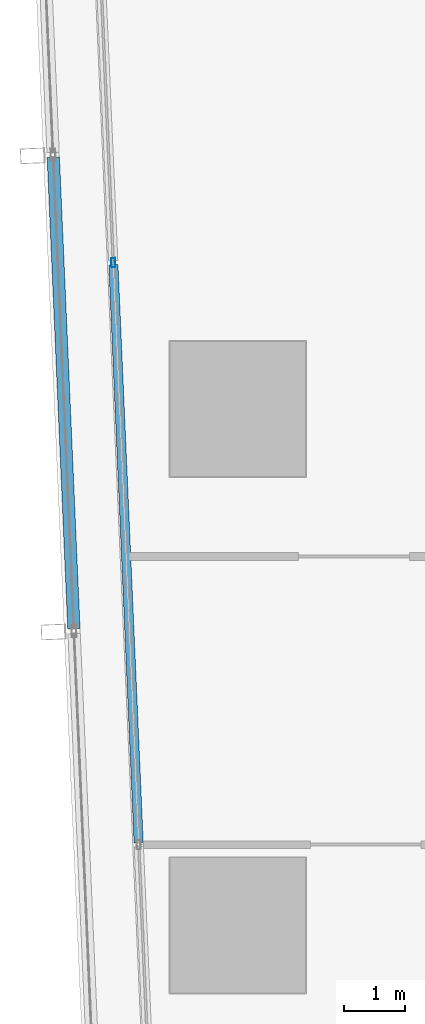
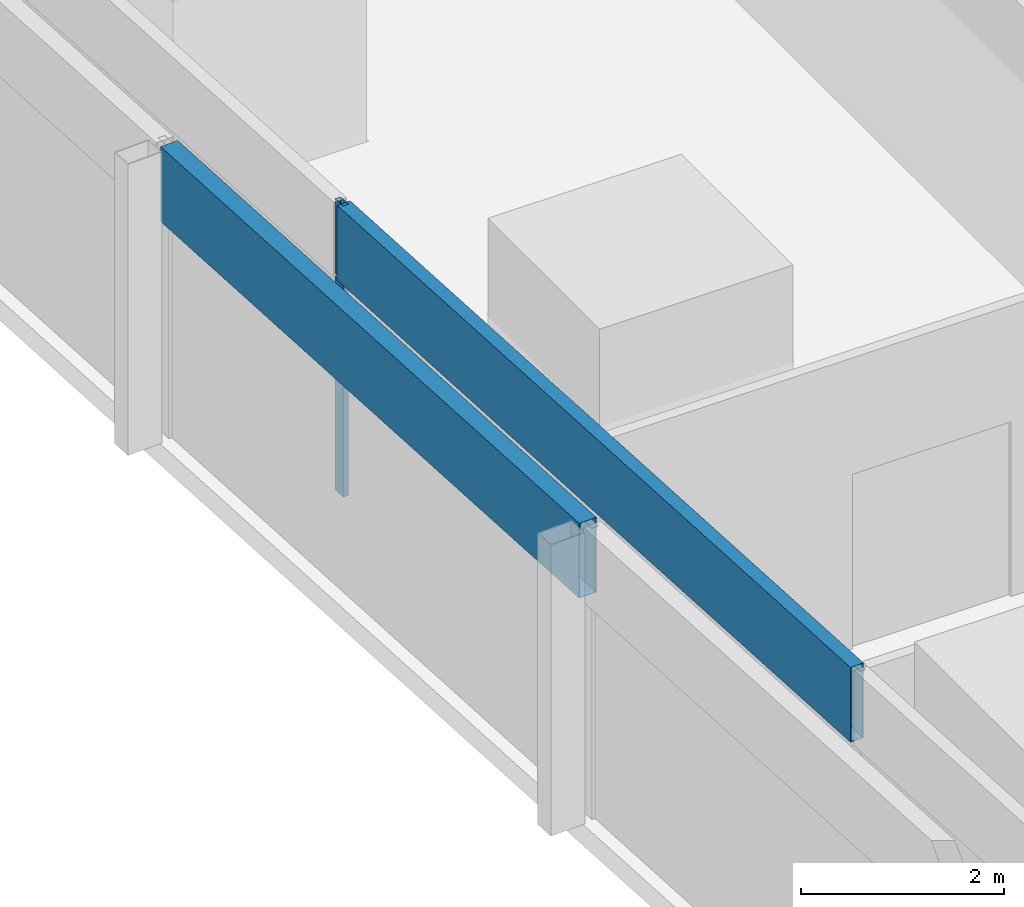
# One storey, part 8 of 44: 3 members, 2 elements without a shape of their own.
"""IFC4 building model written with IfcOpenShell, lengths in metres."""

from ifc_helpers import new_model, si_unit, direction, frame, origin, origin_2d, place, context, subcontext, project, spatial, hollow_rectangle, extrude, material, material_profile, profile_set, type_object, element, aggregate, save


model = new_model("IFC4")

# Units and contexts
model_context = context("Model", 3, precision=1e-05, world=origin(), true_north=direction((0.0, 1.0)))
body_context = subcontext(model_context, "Body", "Model", "MODEL_VIEW")
ifc_project = project(units=[si_unit("LENGTHUNIT", "METRE"), si_unit("AREAUNIT", "SQUARE_METRE"), si_unit("VOLUMEUNIT", "CUBIC_METRE"), si_unit("PLANEANGLEUNIT", "RADIAN"), si_unit("MASSUNIT", "GRAM", prefix="KILO")], contexts=[model_context])

# Site, building, storey
site_placement = place(None, origin())
site = spatial("IfcSite", under=ifc_project, at=site_placement, CompositionType="ELEMENT")
building_placement = place(site_placement, origin())
building = spatial("IfcBuilding", under=site, at=building_placement, Name="Rekha Terrace Tower", CompositionType="ELEMENT")
storey_placement = place(building_placement, frame((0.0, 0.0, 59.14990234375)))
storey = spatial("IfcBuildingStorey", under=building, at=storey_placement, Name="L14", CompositionType="ELEMENT", Elevation=59.14990234375)

# Curtain wall, members
ifc_material_1 = material(Name="Aluminium framing", Category="aluminium")
curtain_wall_type_1 = type_object("IfcCurtainWallType", Name="CW1 double skin inner glazing", PredefinedType="USERDEFINED", material=ifc_material_1)
curtain_wall_1_placement = place(storey_placement, origin())
curtain_wall_1 = element("IfcCurtainWall", 1, at=curtain_wall_1_placement, inside=storey, type_object=curtain_wall_type_1, Name="CW1 double skin inner glazing", ObjectType="DOUBLE SKIN INNER GLAZING", PredefinedType="USERDEFINED")
ifc_material_2 = material(Name="Aluminium mullion section", Category="aluminium")
ifc_material_profile_1 = material_profile(ifc_material_2, hollow_rectangle(XDim=0.06494140625, YDim=0.14990234375, WallThickness=0.00390625, at=origin_2d()), Name="AL RHS 65x150")
ifc_profile_set_1 = profile_set([ifc_material_profile_1], Name="Aluminium mullion section")
member_type_1 = type_object("IfcMemberType", Name="CW1 mullion RHS 65 x 150", PredefinedType="MULLION", material=ifc_profile_set_1)
member_1_placement = place(storey_placement, frame((6.37646484375, 35.978271484375, 0.0), z_axis=(0.0, 0.0, 1.0), x_axis=(0.999045462133, 0.043682543337, 0.0)))
member_1 = element("IfcMember", 2, at=member_1_placement, type_object=member_type_1, Name="CW1 mullion 2", PredefinedType="MULLION", context=body_context, shape_type="SweptSolid", body=[
    extrude(hollow_rectangle(XDim=0.06494140625, YDim=0.14990234375, WallThickness=0.00390625, at=origin_2d()), origin(), (0.0, 0.0, 1.0), 3.5),
])
ifc_material_3 = material(Name="Insulated aluminium spandrel box", Category="aluminium")
ifc_material_profile_2 = material_profile(ifc_material_3, hollow_rectangle(XDim=0.14990234375, YDim=0.89990234375, WallThickness=0.0029296875, at=origin_2d()), Name="AL SPANDREL BOX 150x900")
ifc_profile_set_2 = profile_set([ifc_material_profile_2], Name="Insulated aluminium spandrel box")
member_type_2 = type_object("IfcMemberType", Name="CW1 spandrel transom 150 x 900", PredefinedType="USERDEFINED", material=ifc_profile_set_2)
member_2_placement = place(storey_placement, frame((6.3779296875, 35.94580078125, 3.050048828125), z_axis=(0.043666917606, -0.999046145234, 0.0), x_axis=(0.999046145234, 0.043666917606, 0.0)))
member_2 = element("IfcMember", 3, at=member_2_placement, type_object=member_type_2, Name="CW1 spandrel transom 2", ObjectType="TRANSOM", PredefinedType="USERDEFINED", context=body_context, shape_type="SweptSolid", body=[
    extrude(hollow_rectangle(XDim=0.14990234375, YDim=0.89990234375, WallThickness=0.0029296875, at=origin_2d()), origin(), (0.0, 0.0, 1.0), 9.40966796875),
])
aggregate(curtain_wall_1, [member_1, member_2])

# Curtain wall, member
curtain_wall_type_2 = type_object("IfcCurtainWallType", Name="CW2 double skin outer glazing", PredefinedType="USERDEFINED", material=ifc_material_1)
curtain_wall_2_placement = place(storey_placement, origin())
curtain_wall_2 = element("IfcCurtainWall", 4, at=curtain_wall_2_placement, inside=storey, type_object=curtain_wall_type_2, Name="CW2 double skin outer glazing", ObjectType="DOUBLE SKIN OUTER GLAZING", PredefinedType="USERDEFINED")
ifc_material_profile_3 = material_profile(ifc_material_3, hollow_rectangle(XDim=0.199951171875, YDim=0.89990234375, WallThickness=0.0029296875, at=origin_2d()), Name="AL SPANDREL BOX 200x900")
ifc_profile_set_3 = profile_set([ifc_material_profile_3], Name="Insulated aluminium spandrel box")
member_type_3 = type_object("IfcMemberType", Name="CW2 spandrel transom 200 x 900", PredefinedType="USERDEFINED", material=ifc_profile_set_3)
member_3_placement = place(storey_placement, frame((5.400634765625, 37.690185546875, 3.050048828125), z_axis=(0.04369270591, -0.99904501773, 0.0), x_axis=(0.99904501773, 0.04369270591, 0.0)))
member_3 = element("IfcMember", 5, at=member_3_placement, type_object=member_type_3, Name="CW2 spandrel transom 2", ObjectType="TRANSOM", PredefinedType="USERDEFINED", context=body_context, shape_type="SweptSolid", body=[
    extrude(hollow_rectangle(XDim=0.199951171875, YDim=0.89990234375, WallThickness=0.0029296875, at=origin_2d()), origin(), (0.0, 0.0, 1.0), 7.671875),
])
aggregate(curtain_wall_2, [member_3])

save(model, "model.ifc")
